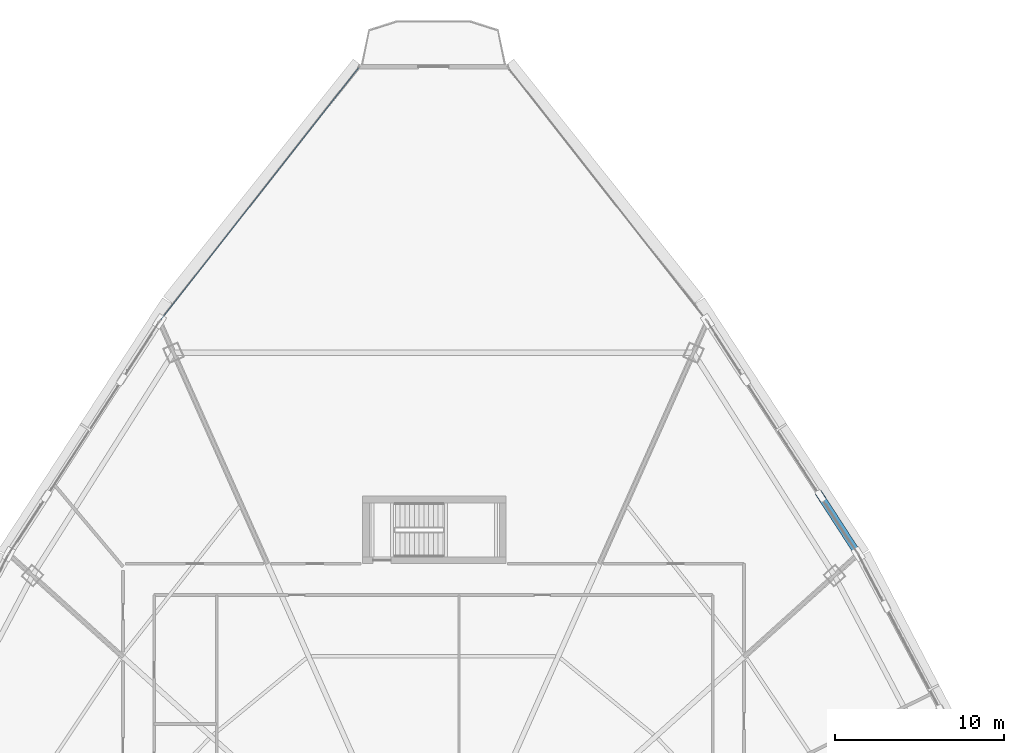
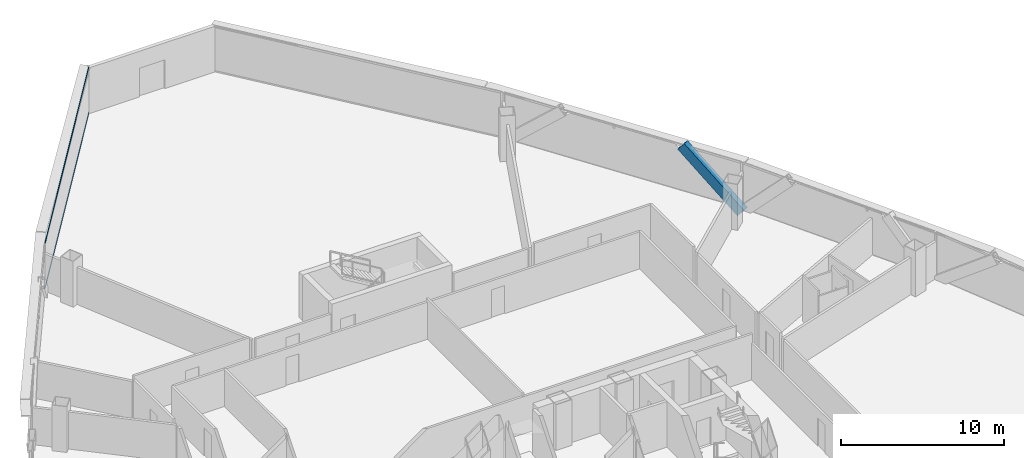
# One storey, part 28 of 42: 3 members, 1 element without a shape of its own.
"""IFC4 building model written with IfcOpenShell, lengths in metres."""

from ifc_helpers import new_model, si_unit, direction, frame, origin, origin_2d, place, context, subcontext, project, spatial, hollow_rectangle, extrude, source, transform, mapped, material, layer, layer_set, material_profile, profile_set, type_object, element, aggregate, save


model = new_model("IFC4")

# Units and contexts
model_context = context("Model", 3, precision=1e-05, world=origin(), true_north=direction((0.0, 1.0)))
body_context = subcontext(model_context, "Body", "Model", "MODEL_VIEW")
ifc_project = project(units=[si_unit("LENGTHUNIT", "METRE"), si_unit("AREAUNIT", "SQUARE_METRE"), si_unit("VOLUMEUNIT", "CUBIC_METRE"), si_unit("PLANEANGLEUNIT", "RADIAN"), si_unit("MASSUNIT", "GRAM", prefix="KILO"), si_unit("THERMODYNAMICTEMPERATUREUNIT", "KELVIN"), si_unit("POWERUNIT", "WATT")], contexts=[model_context])

# Site, building, storey
site_placement = place(None, origin())
site = spatial("IfcSite", under=ifc_project, at=site_placement, CompositionType="ELEMENT")
building_placement = place(site_placement, origin())
building = spatial("IfcBuilding", under=site, at=building_placement, Name="Yunzhuo Pagoda Commons", CompositionType="ELEMENT")
storey_placement = place(building_placement, frame((0.0, 0.0, 129.830078125)))
storey = spatial("IfcBuildingStorey", under=building, at=storey_placement, Name="L32", CompositionType="ELEMENT", Elevation=129.830078125)

# Member
ifc_material_1 = material(Name="Structural steel Q420B", Category="steel")
ifc_material_profile_1 = material_profile(ifc_material_1, hollow_rectangle(XDim=0.419921875, YDim=0.719970703125, WallThickness=0.028076171875, at=origin_2d()), Name="Structural steel Q420B")
ifc_profile_set_1 = profile_set([ifc_material_profile_1], Name="Structural steel Q420B")
member_type_1 = type_object("IfcMemberType", Name="M-DL1 Brace BOX 720x420x28", PredefinedType="BRACE", material=ifc_profile_set_1)
shared_shape_1 = source(origin(), body_context, "Body", "SweptSolid", [
    extrude(hollow_rectangle(XDim=0.419921875, YDim=0.719970703125, WallThickness=0.028076171875, at=origin_2d()), origin(), (0.0, 0.0, 1.0), 5.5166015625),
])
member_1_placement = place(storey_placement, frame((73.173828125, 56.36669921875, -0.260009765625), z_axis=(-0.405111104648, 0.625235928169, 0.667056989333), x_axis=(-0.839235316725, -0.543768409492, 0.0)))
element("IfcMember", 1, at=member_1_placement, inside=storey, type_object=member_type_1, Name="L32 facade diamond brace F2.3L", PredefinedType="BRACE", context=body_context, shape_type="MappedRepresentation", body=[
    mapped(shared_shape_1, transform((0.0, 0.0, 0.0), scale=1.0)),
])

# Curtain wall, members
ifc_material_2 = material(Name="Anodized aluminium 6063-T6", Category="aluminium")
ifc_layer = layer(ifc_material_2, 0.14990234375)
ifc_layer_set = layer_set([ifc_layer], Name="Anodized aluminium 6063-T6")
curtain_wall_type = type_object("IfcCurtainWallType", Name="CW-MID Mid-Zone Ribbon Curtain Wall", PredefinedType="NOTDEFINED", material=ifc_layer_set)
curtain_wall_placement = place(storey_placement, origin())
curtain_wall = element("IfcCurtainWall", 2, at=curtain_wall_placement, inside=storey, type_object=curtain_wall_type, Name="L32 curtain wall CW-L32-F3B1", PredefinedType="NOTDEFINED")
ifc_material_profile_2 = material_profile(ifc_material_2, hollow_rectangle(XDim=0.054931640625, YDim=0.1298828125, WallThickness=0.00341796875, at=origin_2d()), Name="Anodized aluminium 6063-T6")
ifc_profile_set_2 = profile_set([ifc_material_profile_2], Name="Anodized aluminium 6063-T6")
member_type_2 = type_object("IfcMemberType", Name="CW-MID-T Transom RHS 130x55x3.5", PredefinedType="USERDEFINED", material=ifc_profile_set_2)
shared_shape_2 = source(origin(), body_context, "Body", "SweptSolid", [
    extrude(hollow_rectangle(XDim=0.054931640625, YDim=0.1298828125, WallThickness=0.00341796875, at=origin_2d()), origin(), (0.0, 0.0, 1.0), 18.9765625),
])
member_2_placement = place(storey_placement, frame((43.566650390625, 85.1962890625, 0.02734375), z_axis=(-0.617497065847, -0.786573183925, 0.0), x_axis=(0.786573183925, -0.617497065847, 0.0)))
member_2 = element("IfcMember", 3, at=member_2_placement, type_object=member_type_2, Name="CW transom 1.1", ObjectType="TRANSOM", PredefinedType="USERDEFINED", context=body_context, shape_type="MappedRepresentation", body=[
    mapped(shared_shape_2, transform((0.0, 0.0, 0.0), scale=1.0)),
])
member_3_placement = place(storey_placement, frame((43.566650390625, 85.1962890625, 3.392333984375), z_axis=(-0.617497065847, -0.786573183925, 0.0), x_axis=(0.786573183925, -0.617497065847, 0.0)))
member_3 = element("IfcMember", 4, at=member_3_placement, type_object=member_type_2, Name="CW transom 1.2", ObjectType="TRANSOM", PredefinedType="USERDEFINED", context=body_context, shape_type="MappedRepresentation", body=[
    mapped(shared_shape_2, transform((0.0, 0.0, 0.0), scale=1.0)),
])
aggregate(curtain_wall, [member_2, member_3])

save(model, "model.ifc")
